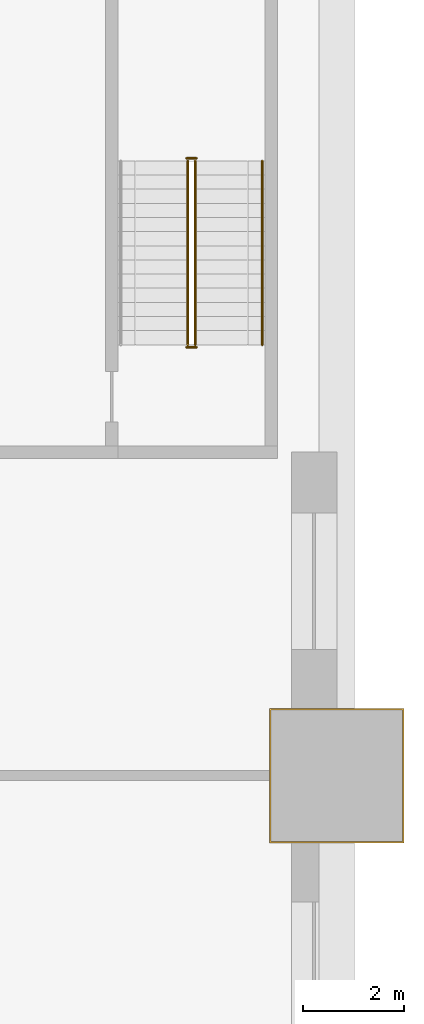
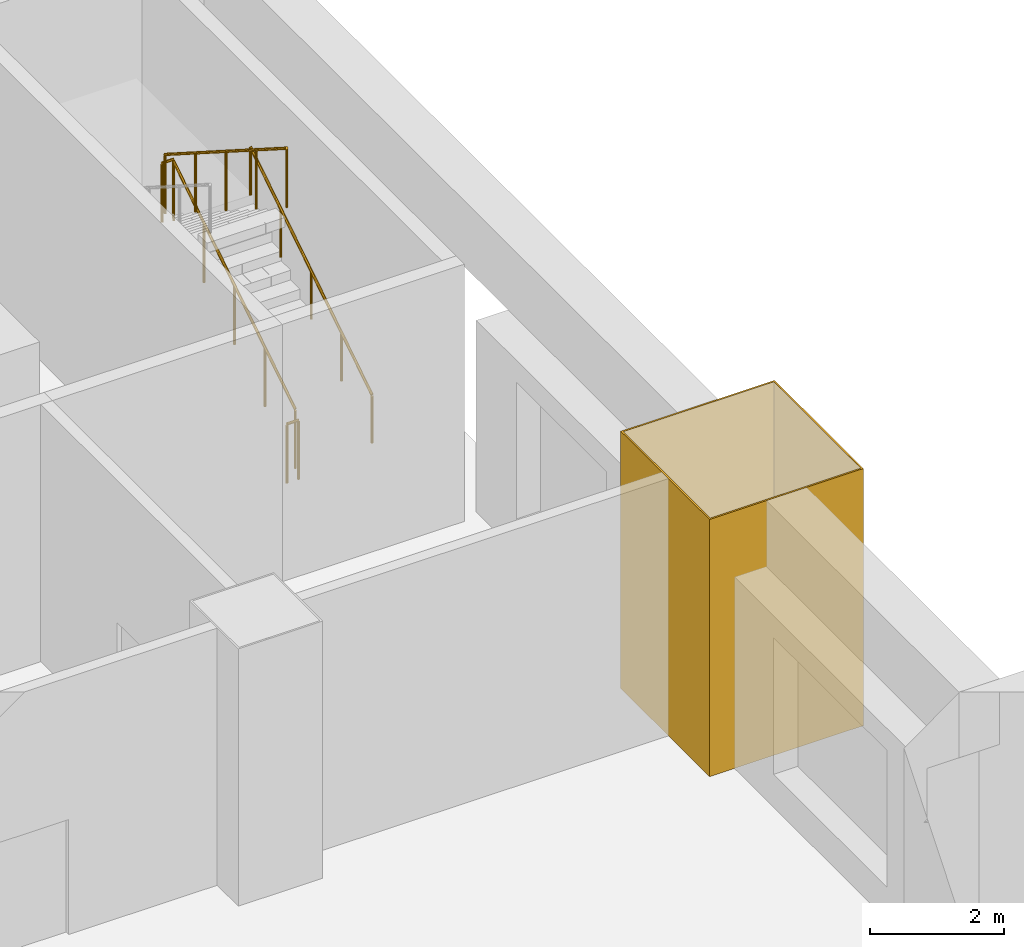
# One storey, part 17 of 17: 5 railings, 1 covering.
"""IFC4 building model written with IfcOpenShell, lengths in metres."""

import ifcopenshell
import ifcopenshell.guid

model = None  # the IFC model being written
_history = None  # IfcOwnerHistory: only IFC2X3 demands one
_inside = {}  # id of a spatial element -> (the spatial element, [elements in it])
_under = {}  # id of a project, library or spatial element -> (it, [spatial elements below it])
_declared = {}  # id of a project -> (the project, [libraries it declares])
_typed = {}  # id of a type object -> (the type object, [elements of that type])
_made_of = {}  # id of a material, layer set ... -> (it, [elements and type objects made of it])


def new_model(schema):
    """Start an empty IFC model of exactly this schema.

    Asked for "IFC4X3", IfcOpenShell would pick the latest addendum, in which some entities
    have other attributes; the version numbers below select the first issue.
    IFC2X3 requires an IfcOwnerHistory on every rooted entity: one is made here for all.
    """
    global model, _history
    if schema == "IFC4X3":
        model = ifcopenshell.file(schema_version=(4, 3, 0, 0))
    else:
        model = ifcopenshell.file(schema=schema)
    _inside.clear()
    _under.clear()
    _declared.clear()
    _typed.clear()
    _made_of.clear()
    _history = None
    if model.schema == "IFC2X3":
        org = make("IfcOrganization", Name="unknown")
        user = make(
            "IfcPersonAndOrganization",
            ThePerson=make("IfcPerson", FamilyName="unknown"),
            TheOrganization=org,
        )
        app = make(
            "IfcApplication",
            ApplicationDeveloper=org,
            Version="unknown",
            ApplicationFullName="unknown",
            ApplicationIdentifier="unknown",
        )
        _history = make(
            "IfcOwnerHistory",
            OwningUser=user,
            OwningApplication=app,
            ChangeAction="ADDED",
            CreationDate=0,
        )
    return model


def make(cls, **values):
    """One entity of the class cls with the attributes given. An attribute that is None is left unset."""
    return model.create_entity(
        cls, **{name: value for name, value in values.items() if value is not None}
    )


def rooted(cls, **values):
    """An entity with a GlobalId (a new one), such as an element, a storey or a relation."""
    return make(cls, GlobalId=ifcopenshell.guid.new(), OwnerHistory=_history, **values)


def si_unit(unit_type, name, prefix=None):
    """IfcSIUnit, for example si_unit("LENGTHUNIT", "METRE", prefix="MILLI")."""
    return make("IfcSIUnit", UnitType=unit_type, Prefix=prefix, Name=name)


def assignment(units):
    """IfcUnitAssignment: the units of a project."""
    return None if units is None else make("IfcUnitAssignment", Units=units)


def point(xyz):
    """IfcCartesianPoint."""
    return None if xyz is None else make("IfcCartesianPoint", Coordinates=xyz)


def direction(xyz):
    """IfcDirection."""
    return None if xyz is None else make("IfcDirection", DirectionRatios=xyz)


def frame(location, z_axis=None, x_axis=None):
    """IfcAxis2Placement3D, a coordinate frame: its origin and axes. An axis left out is left unset."""
    return make(
        "IfcAxis2Placement3D",
        Location=point(location),
        Axis=direction(z_axis),
        RefDirection=direction(x_axis),
    )


def frame_2d(location, x_axis=None):
    """IfcAxis2Placement2D, a coordinate frame in the plane: its origin and x axis."""
    return make(
        "IfcAxis2Placement2D", Location=point(location), RefDirection=direction(x_axis)
    )


def origin():
    """The frame at (0, 0, 0) with its axes left unset."""
    return frame((0.0, 0.0, 0.0))


def origin_2d():
    """The frame at (0, 0) in the plane with its x axis left unset."""
    return frame_2d((0.0, 0.0))


def place(relative_to, where):
    """IfcLocalPlacement: puts the frame where relative to a parent placement (None: the world)."""
    return make(
        "IfcLocalPlacement", PlacementRelTo=relative_to, RelativePlacement=where
    )


def context(
    kind, dimensions, precision=None, world=None, true_north=None, identifier=None
):
    """IfcGeometricRepresentationContext, for example the 3D "Model" context."""
    return make(
        "IfcGeometricRepresentationContext",
        ContextIdentifier=identifier,
        ContextType=kind,
        CoordinateSpaceDimension=dimensions,
        Precision=precision,
        WorldCoordinateSystem=world,
        TrueNorth=true_north,
    )


def subcontext(parent, identifier, kind, view, scale=None):
    """IfcGeometricRepresentationSubContext, for example "Body" below "Model"."""
    return make(
        "IfcGeometricRepresentationSubContext",
        ContextIdentifier=identifier,
        ContextType=kind,
        ParentContext=parent,
        TargetScale=scale,
        TargetView=view,
    )


def project(units=None, contexts=None):
    """IfcProject with its units and contexts."""
    return rooted(
        "IfcProject",
        Name="project",
        RepresentationContexts=contexts,
        UnitsInContext=assignment(units),
    )


def spatial(cls, under=None, at=None, **own):
    """A site, building, storey or space (cls), placed at a placement, below another one or the project."""
    s = rooted(cls, ObjectPlacement=at, **own)
    if under is not None:
        _under.setdefault(under.id(), (under, []))[1].append(s)
    return s


def polyline(points):
    """IfcPolyline through the points."""
    return make("IfcPolyline", Points=[point(p) for p in points])


def profile(cls, at=None, kind="AREA", **sizes):
    """A parametric profile (cls). Its sizes go by their IFC names, for example OverallWidth=200.0."""
    return make(cls, ProfileType=kind, Position=at, **sizes)


def circle(**sizes):
    """IfcCircleProfileDef."""
    return profile("IfcCircleProfileDef", **sizes)


def outline(outer, holes=None, kind="AREA"):
    """IfcArbitraryClosedProfileDef: a profile drawn as a closed curve; with holes, ...WithVoids."""
    if holes is None:
        return make("IfcArbitraryClosedProfileDef", ProfileType=kind, OuterCurve=outer)
    return make(
        "IfcArbitraryProfileDefWithVoids",
        ProfileType=kind,
        OuterCurve=outer,
        InnerCurves=holes,
    )


def extrude(swept, where, along, depth):
    """IfcExtrudedAreaSolid: the profile swept, set in the frame where, extruded along a direction by depth."""
    return make(
        "IfcExtrudedAreaSolid",
        SweptArea=swept,
        Position=where,
        ExtrudedDirection=direction(along),
        Depth=depth,
    )


def shape(context_of_items, identifier, shape_type, items):
    """IfcShapeRepresentation: the items that make up one representation, for example the "Body"."""
    return make(
        "IfcShapeRepresentation",
        ContextOfItems=context_of_items,
        RepresentationIdentifier=identifier,
        RepresentationType=shape_type,
        Items=items,
    )


def material(Name=None, Category=None):
    """IfcMaterial."""
    return make("IfcMaterial", Name=Name, Category=Category)


def layer(
    of_material, thickness, ventilated=None, Name=None, Category=None, Priority=None
):
    """IfcMaterialLayer: one layer of a wall or slab, of a material (None: an air gap)."""
    return make(
        "IfcMaterialLayer",
        Material=of_material,
        LayerThickness=thickness,
        IsVentilated=ventilated,
        Name=Name,
        Category=Category,
        Priority=Priority,
    )


def layer_set(layers, Name=None):
    """IfcMaterialLayerSet."""
    return make("IfcMaterialLayerSet", MaterialLayers=layers, LayerSetName=Name)


def made_of(thing, what):
    """Note that an element or type object is made of a material, layer set ...; save() writes the relation."""
    if what is not None:
        _made_of.setdefault(what.id(), (what, []))[1].append(thing)
    return thing


def type_object(cls, material=None, **own):
    """A type object (cls), such as IfcWallType, which elements share."""
    return made_of(rooted(cls, **own), material)


def element(
    cls,
    number,
    at=None,
    inside=None,
    cuts=None,
    type_object=None,
    material=None,
    context=None,
    identifier="Body",
    shape_type=None,
    held_by="IfcProductDefinitionShape",
    body=None,
    shapes=None,
    **own,
):
    """One element of the class cls, such as IfcWall. Its Tag is "e" and its number.

    at: its placement. inside: the storey or other place that contains it. cuts: it is an
    opening in that element (IfcRelVoidsElement). A single representation is given by context,
    identifier, shape_type and body (its items); several are given by shapes. held_by: the class
    of the entity that holds the representations. save() writes the other relations.
    """
    e = rooted(cls, Tag="e%d" % number, ObjectPlacement=at, **own)
    if body is not None:
        shapes = [shape(context, identifier, shape_type, body)]
    if shapes is not None:
        e.Representation = make(held_by, Representations=shapes)
    if inside is not None:
        _inside.setdefault(inside.id(), (inside, []))[1].append(e)
    if cuts is not None:
        rooted(
            "IfcRelVoidsElement", RelatingBuildingElement=cuts, RelatedOpeningElement=e
        )
    if type_object is not None:
        _typed.setdefault(type_object.id(), (type_object, []))[1].append(e)
    return made_of(e, material)


def aggregate(whole, parts):
    """IfcRelAggregates: a whole, such as a stair, and the parts it consists of."""
    return rooted("IfcRelAggregates", RelatingObject=whole, RelatedObjects=parts)


def save(model, path):
    """Write the relations noted so far, then the file.

    IfcRelAggregates (storeys below a building ...), IfcRelContainedInSpatialStructure (elements
    in a storey), IfcRelDefinesByType, IfcRelAssociatesMaterial and IfcRelDeclares: one each for
    every whole, place, type object, material and project.
    """
    for whole, parts in _under.values():
        aggregate(whole, parts)
    for where, things in _inside.values():
        rooted(
            "IfcRelContainedInSpatialStructure",
            RelatedElements=things,
            RelatingStructure=where,
        )
    for kind, things in _typed.values():
        rooted("IfcRelDefinesByType", RelatedObjects=things, RelatingType=kind)
    for what, things in _made_of.values():
        rooted("IfcRelAssociatesMaterial", RelatedObjects=things, RelatingMaterial=what)
    for by, libraries in _declared.values():
        rooted("IfcRelDeclares", RelatingContext=by, RelatedDefinitions=libraries)
    model.write(path)


model = new_model("IFC4")

# Units and contexts
model_context = context("Model", 3, precision=1e-05, world=origin(), true_north=direction((0.0, 1.0)))
body_context = subcontext(model_context, "Body", "Model", "MODEL_VIEW")
ifc_project = project(units=[si_unit("LENGTHUNIT", "METRE"), si_unit("AREAUNIT", "SQUARE_METRE"), si_unit("VOLUMEUNIT", "CUBIC_METRE"), si_unit("PLANEANGLEUNIT", "RADIAN"), si_unit("MASSUNIT", "GRAM", prefix="KILO")], contexts=[model_context])

# Site, building, storey
site_placement = place(None, origin())
site = spatial("IfcSite", under=ifc_project, at=site_placement, CompositionType="ELEMENT")
building_placement = place(site_placement, origin())
building = spatial("IfcBuilding", under=site, at=building_placement, Name="Cantera Rosa Tower", CompositionType="ELEMENT")
storey_placement = place(building_placement, frame((0.0, 0.0, 22.0)))
storey = spatial("IfcBuildingStorey", under=building, at=storey_placement, Name="L03", CompositionType="ELEMENT", Elevation=22.0)

# Covering
ifc_material_1 = material(Name="Plaster")
ifc_layer = layer(ifc_material_1, 0.030029296875)
ifc_layer_set = layer_set([ifc_layer], Name="Column casing 30")
covering_type = type_object("IfcCoveringType", Name="Column casing 30", PredefinedType="CLADDING", material=ifc_layer_set)
covering_placement = place(storey_placement, origin())
element("IfcCovering", 1, at=covering_placement, inside=storey, type_object=covering_type, Name="Column casing L03-034", PredefinedType="CLADDING", context=body_context, shape_type="SweptSolid", body=[
    extrude(outline(polyline([(32.27001953125, 11.27001953125), (34.929931640625, 11.27001953125), (34.929931640625, 13.929931640625), (32.27001953125, 13.929931640625), (32.27001953125, 11.27001953125)]), holes=[polyline([(34.89990234375, 13.89990234375), (32.300048828125, 13.89990234375), (32.300048828125, 11.300048828125), (34.89990234375, 11.300048828125), (34.89990234375, 13.89990234375)])]), origin(), (0.0, 0.0, 1.0), 4.699951171875),
])

# Railings
ifc_material_2 = material(Name="Steel S355J2 (EN 10025-2)", Category="steel")
railing_type_1 = type_object("IfcRailingType", Name="STAIR GUARD 1100", PredefinedType="GUARDRAIL", material=ifc_material_2)
railing_1_placement = place(storey_placement, frame((30.799072265625, 21.125, 0.178466796875)))
element("IfcRailing", 2, at=railing_1_placement, inside=storey, type_object=railing_type_1, Name="L03 ST-NE stair guard 1", PredefinedType="GUARDRAIL", context=body_context, shape_type="SweptSolid", body=[
    extrude(circle(Radius=0.02392578125, at=origin_2d()), frame((0.0, 0.0, 1.076171875), z_axis=(0.0, 0.843111507901, 0.53773877045), x_axis=(-1.0, 0.0, 0.0)), (0.0, 0.0, 1.0), 4.317138671875),
    extrude(circle(Radius=0.02099609375, at=origin_2d()), origin(), (0.0, 0.0, 1.0), 1.052001953125),
    extrude(circle(Radius=0.02099609375, at=origin_2d()), frame((0.0, 0.909912109375, 0.580322265625)), (0.0, 0.0, 1.0), 1.052001953125),
    extrude(circle(Radius=0.02099609375, at=origin_2d()), frame((0.0, 1.81982421875, 1.16064453125)), (0.0, 0.0, 1.0), 1.052001953125),
    extrude(circle(Radius=0.02099609375, at=origin_2d()), frame((0.0, 2.72998046875, 1.7412109375)), (0.0, 0.0, 1.0), 1.052001953125),
    extrude(circle(Radius=0.02099609375, at=origin_2d()), frame((0.0, 3.639892578125, 2.321533203125)), (0.0, 0.0, 1.0), 1.052001953125),
])
railing_2_placement = place(storey_placement, frame((30.824951171875, 24.81494140625, 2.5)))
element("IfcRailing", 3, at=railing_2_placement, inside=storey, type_object=railing_type_1, Name="L03 ST-NE stair guard 2", PredefinedType="GUARDRAIL", context=body_context, shape_type="SweptSolid", body=[
    extrude(circle(Radius=0.02392578125, at=origin_2d()), frame((0.0, 0.0, 1.076171875), z_axis=(-1.0, 0.0, 0.0), x_axis=(0.0, -1.0, 0.0)), (0.0, 0.0, 1.0), 0.199951171875),
    extrude(circle(Radius=0.02099609375, at=origin_2d()), origin(), (0.0, 0.0, 1.0), 1.052001953125),
    extrude(circle(Radius=0.02099609375, at=origin_2d()), frame((-0.199951171875, 0.0, 0.0)), (0.0, 0.0, 1.0), 1.052001953125),
])
railing_3_placement = place(storey_placement, frame((30.65087890625, 24.764892578125, 2.678466796875)))
element("IfcRailing", 4, at=railing_3_placement, inside=storey, type_object=railing_type_1, Name="L03 ST-NE stair guard 3", PredefinedType="GUARDRAIL", context=body_context, shape_type="SweptSolid", body=[
    extrude(circle(Radius=0.02392578125, at=origin_2d()), frame((0.0, 0.0, 1.076171875), z_axis=(0.0, -0.843111507901, 0.53773877045), x_axis=(1.0, 0.0, 0.0)), (0.0, 0.0, 1.0), 4.317138671875),
    extrude(circle(Radius=0.02099609375, at=origin_2d()), origin(), (0.0, 0.0, 1.0), 1.052001953125),
    extrude(circle(Radius=0.02099609375, at=origin_2d()), frame((0.0, -0.909912109375, 0.580322265625)), (0.0, 0.0, 1.0), 1.052001953125),
    extrude(circle(Radius=0.02099609375, at=origin_2d()), frame((0.0, -1.81982421875, 1.16064453125)), (0.0, 0.0, 1.0), 1.052001953125),
    extrude(circle(Radius=0.02099609375, at=origin_2d()), frame((0.0, -2.72998046875, 1.7412109375)), (0.0, 0.0, 1.0), 1.052001953125),
    extrude(circle(Radius=0.02099609375, at=origin_2d()), frame((0.0, -3.639892578125, 2.321533203125)), (0.0, 0.0, 1.0), 1.052001953125),
])
railing_4_placement = place(storey_placement, frame((30.824951171875, 21.074951171875, 0.0)))
element("IfcRailing", 5, at=railing_4_placement, inside=storey, type_object=railing_type_1, Name="L03 ST-NE stair guard 4", PredefinedType="GUARDRAIL", context=body_context, shape_type="SweptSolid", body=[
    extrude(circle(Radius=0.02392578125, at=origin_2d()), frame((0.0, 0.0, 1.076171875), z_axis=(-1.0, 0.0, 0.0), x_axis=(0.0, -1.0, 0.0)), (0.0, 0.0, 1.0), 0.199951171875),
    extrude(circle(Radius=0.02099609375, at=origin_2d()), origin(), (0.0, 0.0, 1.0), 1.052001953125),
    extrude(circle(Radius=0.02099609375, at=origin_2d()), frame((-0.199951171875, 0.0, 0.0)), (0.0, 0.0, 1.0), 1.052001953125),
])
ifc_material_3 = material(Name="Steel S355J2 (EN 10025-2)", Category="steel")
railing_type_2 = type_object("IfcRailingType", Name="STAIR HANDRAIL 900", PredefinedType="HANDRAIL", material=ifc_material_3)
railing_5_placement = place(storey_placement, frame((32.125, 21.125, 0.178466796875)))
element("IfcRailing", 6, at=railing_5_placement, inside=storey, type_object=railing_type_2, Name="L03 ST-NE stair handrail 1", PredefinedType="HANDRAIL", context=body_context, shape_type="SweptSolid", body=[
    extrude(circle(Radius=0.02392578125, at=origin_2d()), frame((0.0, 0.0, 0.8759765625), z_axis=(0.0, 0.843111507901, 0.53773877045), x_axis=(-1.0, 0.0, 0.0)), (0.0, 0.0, 1.0), 4.317138671875),
    extrude(circle(Radius=0.02099609375, at=origin_2d()), origin(), (0.0, 0.0, 1.0), 0.851806640625),
    extrude(circle(Radius=0.02099609375, at=origin_2d()), frame((0.0, 0.909912109375, 0.580322265625)), (0.0, 0.0, 1.0), 0.851806640625),
    extrude(circle(Radius=0.02099609375, at=origin_2d()), frame((0.0, 1.81982421875, 1.16064453125)), (0.0, 0.0, 1.0), 0.851806640625),
    extrude(circle(Radius=0.02099609375, at=origin_2d()), frame((0.0, 2.72998046875, 1.7412109375)), (0.0, 0.0, 1.0), 0.851806640625),
    extrude(circle(Radius=0.02099609375, at=origin_2d()), frame((0.0, 3.639892578125, 2.321533203125)), (0.0, 0.0, 1.0), 0.851806640625),
])

save(model, "model.ifc")
